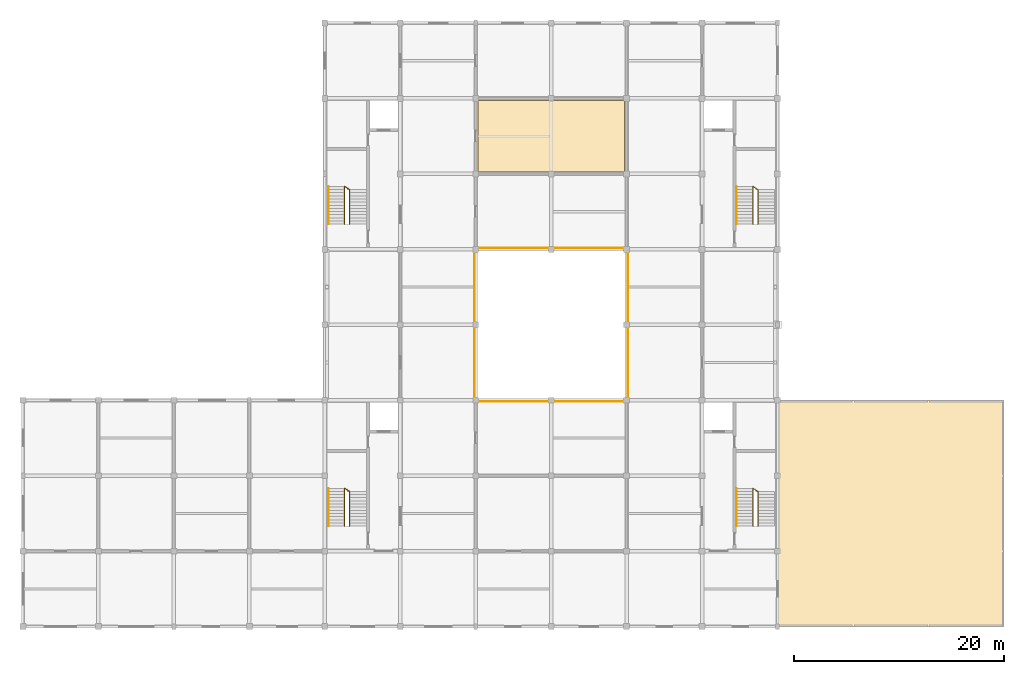
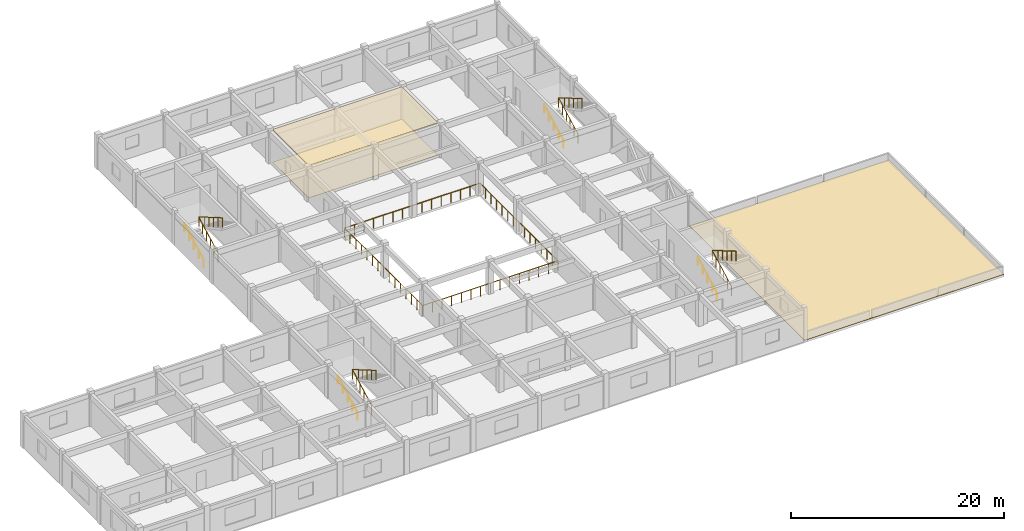
# One storey, part 8 of 8: 12 railings, 3 coverings.
"""IFC4 building model written with IfcOpenShell, lengths in metres."""

from ifc_helpers import new_model, si_unit, direction, frame, origin, origin_2d, place, context, subcontext, project, spatial, polyline, circle, outline, extrude, material, layer, layer_set, type_object, element, save


model = new_model("IFC4")

# Units and contexts
model_context = context("Model", 3, precision=1e-05, world=origin(), true_north=direction((0.0, 1.0)))
body_context = subcontext(model_context, "Body", "Model", "MODEL_VIEW")
ifc_project = project(units=[si_unit("LENGTHUNIT", "METRE"), si_unit("AREAUNIT", "SQUARE_METRE"), si_unit("VOLUMEUNIT", "CUBIC_METRE"), si_unit("PLANEANGLEUNIT", "RADIAN"), si_unit("MASSUNIT", "GRAM", prefix="KILO")], contexts=[model_context])

# Site, building, storey
site_placement = place(None, origin())
site = spatial("IfcSite", under=ifc_project, at=site_placement, CompositionType="ELEMENT")
building_placement = place(site_placement, origin())
building = spatial("IfcBuilding", under=site, at=building_placement, Name="Cendaluz Park School", CompositionType="ELEMENT")
storey_placement = place(building_placement, frame((0.0, 0.0, 42.800048828125)))
storey = spatial("IfcBuildingStorey", under=building, at=storey_placement, Name="L10", CompositionType="ELEMENT", Elevation=42.800048828125)

# Coverings
ifc_material_1 = material(Name="Mineral Fibre Acoustic Tile")
ifc_layer_1 = layer(ifc_material_1, 0.030029296875)
ifc_layer_set_1 = layer_set([ifc_layer_1], Name="Mineral Fibre Acoustic Tile")
covering_type_1 = type_object("IfcCoveringType", Name="CV-CLG01", PredefinedType="CEILING", material=ifc_layer_set_1)
covering_1_placement = place(storey_placement, frame((0.0, 0.0, 3.719970703125)))
element("IfcCovering", 1, at=covering_1_placement, inside=storey, type_object=covering_type_1, Name="CV-CLG-L10-01", PredefinedType="CEILING", context=body_context, shape_type="SweptSolid", body=[
    extrude(outline(polyline([(79.39990234375, 50.60009765625), (93.39990234375, 50.60009765625), (93.39990234375, 57.39990234375), (79.39990234375, 57.39990234375), (79.39990234375, 50.60009765625)])), origin(), (0.0, 0.0, 1.0), 0.030029296875),
])
ifc_material_2 = material(Name="Polished Terrazzo Tile")
ifc_layer_2 = layer(ifc_material_2, 0.02001953125)
ifc_layer_set_2 = layer_set([ifc_layer_2], Name="Polished Terrazzo Tile")
covering_type_2 = type_object("IfcCoveringType", Name="CV-FLR01", PredefinedType="FLOORING", material=ifc_layer_set_2)
covering_2_placement = place(storey_placement, origin())
element("IfcCovering", 2, at=covering_2_placement, inside=storey, type_object=covering_type_2, Name="CV-FLR-L10-01", PredefinedType="FLOORING", context=body_context, shape_type="SweptSolid", body=[
    extrude(outline(polyline([(79.39990234375, 50.60009765625), (93.39990234375, 50.60009765625), (93.39990234375, 57.39990234375), (79.39990234375, 57.39990234375), (79.39990234375, 50.60009765625)])), origin(), (0.0, 0.0, 1.0), 0.02001953125),
])
ifc_material_3 = material(Name="EPDM Roofing Membrane")
ifc_layer_3 = layer(ifc_material_3, 0.06005859375)
ifc_layer_set_3 = layer_set([ifc_layer_3], Name="EPDM Roofing Membrane")
covering_type_3 = type_object("IfcCoveringType", Name="CV-RF01", PredefinedType="ROOFING", material=ifc_layer_set_3)
covering_3_placement = place(storey_placement, origin())
element("IfcCovering", 3, at=covering_3_placement, inside=storey, type_object=covering_type_3, Name="CV-RF-L09-02", PredefinedType="ROOFING", context=body_context, shape_type="SweptSolid", body=[
    extrude(outline(polyline([(108.0, 28.800048828125), (129.60009765625, 28.800048828125), (129.60009765625, 7.199951171875), (108.0, 7.199951171875), (108.0, 28.800048828125)])), origin(), (0.0, 0.0, 1.0), 0.06005859375),
])

# Railings
ifc_material_4 = material(Name="Wrought Iron")
railing_type_1 = type_object("IfcRailingType", Name="GR-ST01", PredefinedType="BALUSTRADE", material=ifc_material_4)
railing_1_placement = place(storey_placement, frame((66.68994140625, 16.800048828125, 0.159912109375)))
element("IfcRailing", 4, at=railing_1_placement, inside=storey, type_object=railing_type_1, Name="GR-ST-023", PredefinedType="BALUSTRADE", context=body_context, shape_type="SweptSolid", body=[
    extrude(circle(Radius=0.02392578125, at=origin_2d()), frame((0.0, 0.0, 1.076171875), z_axis=(0.0, 0.882352941176, 0.470588235294), x_axis=(-1.0, 0.0, 0.0)), (0.0, 0.0, 1.0), 4.079833984375),
    extrude(circle(Radius=0.02392578125, at=origin_2d()), frame((0.0, 3.599853515625, 2.99609375), z_axis=(0.843065864119, -0.537810327864, 0.0), x_axis=(0.537810327864, 0.843065864119, 0.0)), (0.0, 0.0, 1.0), 0.557373046875),
    extrude(circle(Radius=0.02392578125, at=origin_2d()), frame((0.469970703125, 3.300048828125, 2.99609375), z_axis=(0.0, -0.86433267106, 0.502920504393), x_axis=(1.0, 0.0, 0.0)), (0.0, 0.0, 1.0), 3.818115234375),
    extrude(circle(Radius=0.02099609375, at=origin_2d()), origin(), (0.0, 0.0, 1.0), 1.052001953125),
    extrude(circle(Radius=0.02099609375, at=origin_2d()), frame((0.0, 0.719970703125, 0.384033203125)), (0.0, 0.0, 1.0), 1.052001953125),
    extrude(circle(Radius=0.02099609375, at=origin_2d()), frame((0.0, 1.43994140625, 0.76806640625)), (0.0, 0.0, 1.0), 1.052001953125),
    extrude(circle(Radius=0.02099609375, at=origin_2d()), frame((0.0, 2.159912109375, 1.15185546875)), (0.0, 0.0, 1.0), 1.052001953125),
    extrude(circle(Radius=0.02099609375, at=origin_2d()), frame((0.0, 2.8798828125, 1.535888671875)), (0.0, 0.0, 1.0), 1.052001953125),
    extrude(circle(Radius=0.02099609375, at=origin_2d()), frame((0.0, 3.599853515625, 1.919921875)), (0.0, 0.0, 1.0), 1.052001953125),
    extrude(circle(Radius=0.02099609375, at=origin_2d()), frame((0.469970703125, 3.300048828125, 1.919921875)), (0.0, 0.0, 1.0), 1.052001953125),
    extrude(circle(Radius=0.02099609375, at=origin_2d()), frame((0.469970703125, 2.47509765625, 2.39990234375)), (0.0, 0.0, 1.0), 1.052001953125),
    extrude(circle(Radius=0.02099609375, at=origin_2d()), frame((0.469970703125, 1.64990234375, 2.8798828125)), (0.0, 0.0, 1.0), 1.052001953125),
    extrude(circle(Radius=0.02099609375, at=origin_2d()), frame((0.469970703125, 0.824951171875, 3.360107421875)), (0.0, 0.0, 1.0), 1.052001953125),
    extrude(circle(Radius=0.02099609375, at=origin_2d()), frame((0.469970703125, 0.0, 3.840087890625)), (0.0, 0.0, 1.0), 1.052001953125),
])
railing_2_placement = place(storey_placement, frame((105.639892578125, 16.800048828125, 0.159912109375)))
element("IfcRailing", 5, at=railing_2_placement, inside=storey, type_object=railing_type_1, Name="GR-ST-058", PredefinedType="BALUSTRADE", context=body_context, shape_type="SweptSolid", body=[
    extrude(circle(Radius=0.02392578125, at=origin_2d()), frame((0.0, 0.0, 1.076171875), z_axis=(0.0, 0.882352941176, 0.470588235294), x_axis=(-1.0, 0.0, 0.0)), (0.0, 0.0, 1.0), 4.079833984375),
    extrude(circle(Radius=0.02392578125, at=origin_2d()), frame((0.0, 3.599853515625, 2.99609375), z_axis=(0.843192468449, -0.537611812697, 0.0), x_axis=(0.537611812697, 0.843192468449, 0.0)), (0.0, 0.0, 1.0), 0.5576171875),
    extrude(circle(Radius=0.02392578125, at=origin_2d()), frame((0.47021484375, 3.300048828125, 2.99609375), z_axis=(0.0, -0.86433267106, 0.502920504393), x_axis=(1.0, 0.0, 0.0)), (0.0, 0.0, 1.0), 3.818115234375),
    extrude(circle(Radius=0.02099609375, at=origin_2d()), origin(), (0.0, 0.0, 1.0), 1.052001953125),
    extrude(circle(Radius=0.02099609375, at=origin_2d()), frame((0.0, 0.719970703125, 0.384033203125)), (0.0, 0.0, 1.0), 1.052001953125),
    extrude(circle(Radius=0.02099609375, at=origin_2d()), frame((0.0, 1.43994140625, 0.76806640625)), (0.0, 0.0, 1.0), 1.052001953125),
    extrude(circle(Radius=0.02099609375, at=origin_2d()), frame((0.0, 2.159912109375, 1.15185546875)), (0.0, 0.0, 1.0), 1.052001953125),
    extrude(circle(Radius=0.02099609375, at=origin_2d()), frame((0.0, 2.8798828125, 1.535888671875)), (0.0, 0.0, 1.0), 1.052001953125),
    extrude(circle(Radius=0.02099609375, at=origin_2d()), frame((0.0, 3.599853515625, 1.919921875)), (0.0, 0.0, 1.0), 1.052001953125),
    extrude(circle(Radius=0.02099609375, at=origin_2d()), frame((0.47021484375, 3.300048828125, 1.919921875)), (0.0, 0.0, 1.0), 1.052001953125),
    extrude(circle(Radius=0.02099609375, at=origin_2d()), frame((0.47021484375, 2.47509765625, 2.39990234375)), (0.0, 0.0, 1.0), 1.052001953125),
    extrude(circle(Radius=0.02099609375, at=origin_2d()), frame((0.47021484375, 1.64990234375, 2.8798828125)), (0.0, 0.0, 1.0), 1.052001953125),
    extrude(circle(Radius=0.02099609375, at=origin_2d()), frame((0.47021484375, 0.824951171875, 3.360107421875)), (0.0, 0.0, 1.0), 1.052001953125),
    extrude(circle(Radius=0.02099609375, at=origin_2d()), frame((0.47021484375, 0.0, 3.840087890625)), (0.0, 0.0, 1.0), 1.052001953125),
])
railing_3_placement = place(storey_placement, frame((66.68994140625, 45.60009765625, 0.159912109375)))
element("IfcRailing", 6, at=railing_3_placement, inside=storey, type_object=railing_type_1, Name="GR-ST-093", PredefinedType="BALUSTRADE", context=body_context, shape_type="SweptSolid", body=[
    extrude(circle(Radius=0.02392578125, at=origin_2d()), frame((0.0, 0.0, 1.076171875), z_axis=(0.0, 0.882352941176, 0.470588235294), x_axis=(-1.0, 0.0, 0.0)), (0.0, 0.0, 1.0), 4.079833984375),
    extrude(circle(Radius=0.02392578125, at=origin_2d()), frame((0.0, 3.599853515625, 2.99609375), z_axis=(0.842867279897, -0.538121499737, 0.0), x_axis=(0.538121499737, 0.842867279897, 0.0)), (0.0, 0.0, 1.0), 0.5576171875),
    extrude(circle(Radius=0.02392578125, at=origin_2d()), frame((0.469970703125, 3.2998046875, 2.99609375), z_axis=(0.0, -0.864316496394, 0.502948301579), x_axis=(1.0, 0.0, 0.0)), (0.0, 0.0, 1.0), 3.81787109375),
    extrude(circle(Radius=0.02099609375, at=origin_2d()), origin(), (0.0, 0.0, 1.0), 1.052001953125),
    extrude(circle(Radius=0.02099609375, at=origin_2d()), frame((0.0, 0.719970703125, 0.384033203125)), (0.0, 0.0, 1.0), 1.052001953125),
    extrude(circle(Radius=0.02099609375, at=origin_2d()), frame((0.0, 1.43994140625, 0.76806640625)), (0.0, 0.0, 1.0), 1.052001953125),
    extrude(circle(Radius=0.02099609375, at=origin_2d()), frame((0.0, 2.159912109375, 1.15185546875)), (0.0, 0.0, 1.0), 1.052001953125),
    extrude(circle(Radius=0.02099609375, at=origin_2d()), frame((0.0, 2.8798828125, 1.535888671875)), (0.0, 0.0, 1.0), 1.052001953125),
    extrude(circle(Radius=0.02099609375, at=origin_2d()), frame((0.0, 3.599853515625, 1.919921875)), (0.0, 0.0, 1.0), 1.052001953125),
    extrude(circle(Radius=0.02099609375, at=origin_2d()), frame((0.469970703125, 3.2998046875, 1.919921875)), (0.0, 0.0, 1.0), 1.052001953125),
    extrude(circle(Radius=0.02099609375, at=origin_2d()), frame((0.469970703125, 2.474853515625, 2.39990234375)), (0.0, 0.0, 1.0), 1.052001953125),
    extrude(circle(Radius=0.02099609375, at=origin_2d()), frame((0.469970703125, 1.64990234375, 2.8798828125)), (0.0, 0.0, 1.0), 1.052001953125),
    extrude(circle(Radius=0.02099609375, at=origin_2d()), frame((0.469970703125, 0.824951171875, 3.360107421875)), (0.0, 0.0, 1.0), 1.052001953125),
    extrude(circle(Radius=0.02099609375, at=origin_2d()), frame((0.469970703125, 0.0, 3.840087890625)), (0.0, 0.0, 1.0), 1.052001953125),
])
railing_4_placement = place(storey_placement, frame((105.639892578125, 45.60009765625, 0.159912109375)))
element("IfcRailing", 7, at=railing_4_placement, inside=storey, type_object=railing_type_1, Name="GR-ST-128", PredefinedType="BALUSTRADE", context=body_context, shape_type="SweptSolid", body=[
    extrude(circle(Radius=0.02392578125, at=origin_2d()), frame((0.0, 0.0, 1.076171875), z_axis=(0.0, 0.882352941176, 0.470588235294), x_axis=(-1.0, 0.0, 0.0)), (0.0, 0.0, 1.0), 4.079833984375),
    extrude(circle(Radius=0.02392578125, at=origin_2d()), frame((0.0, 3.599853515625, 2.99609375), z_axis=(0.84299400095, -0.537922963223, 0.0), x_axis=(0.537922963223, 0.84299400095, 0.0)), (0.0, 0.0, 1.0), 0.557861328125),
    extrude(circle(Radius=0.02392578125, at=origin_2d()), frame((0.47021484375, 3.2998046875, 2.99609375), z_axis=(0.0, -0.864316496394, 0.502948301579), x_axis=(1.0, 0.0, 0.0)), (0.0, 0.0, 1.0), 3.81787109375),
    extrude(circle(Radius=0.02099609375, at=origin_2d()), origin(), (0.0, 0.0, 1.0), 1.052001953125),
    extrude(circle(Radius=0.02099609375, at=origin_2d()), frame((0.0, 0.719970703125, 0.384033203125)), (0.0, 0.0, 1.0), 1.052001953125),
    extrude(circle(Radius=0.02099609375, at=origin_2d()), frame((0.0, 1.43994140625, 0.76806640625)), (0.0, 0.0, 1.0), 1.052001953125),
    extrude(circle(Radius=0.02099609375, at=origin_2d()), frame((0.0, 2.159912109375, 1.15185546875)), (0.0, 0.0, 1.0), 1.052001953125),
    extrude(circle(Radius=0.02099609375, at=origin_2d()), frame((0.0, 2.8798828125, 1.535888671875)), (0.0, 0.0, 1.0), 1.052001953125),
    extrude(circle(Radius=0.02099609375, at=origin_2d()), frame((0.0, 3.599853515625, 1.919921875)), (0.0, 0.0, 1.0), 1.052001953125),
    extrude(circle(Radius=0.02099609375, at=origin_2d()), frame((0.47021484375, 3.2998046875, 1.919921875)), (0.0, 0.0, 1.0), 1.052001953125),
    extrude(circle(Radius=0.02099609375, at=origin_2d()), frame((0.47021484375, 2.474853515625, 2.39990234375)), (0.0, 0.0, 1.0), 1.052001953125),
    extrude(circle(Radius=0.02099609375, at=origin_2d()), frame((0.47021484375, 1.64990234375, 2.8798828125)), (0.0, 0.0, 1.0), 1.052001953125),
    extrude(circle(Radius=0.02099609375, at=origin_2d()), frame((0.47021484375, 0.824951171875, 3.360107421875)), (0.0, 0.0, 1.0), 1.052001953125),
    extrude(circle(Radius=0.02099609375, at=origin_2d()), frame((0.47021484375, 0.0, 3.840087890625)), (0.0, 0.0, 1.0), 1.052001953125),
])
ifc_material_5 = material(Name="Tempered Low-E Double Glazing", Category="glass")
railing_type_2 = type_object("IfcRailingType", Name="GR-VD01", PredefinedType="GUARDRAIL", material=ifc_material_5)
railing_5_placement = place(storey_placement, frame((79.080078125, 28.679931640625, 0.0)))
element("IfcRailing", 8, at=railing_5_placement, inside=storey, type_object=railing_type_2, Name="GR-LIB-VOID-L10-1", PredefinedType="GUARDRAIL", context=body_context, shape_type="SweptSolid", body=[
    extrude(circle(Radius=0.02392578125, at=origin_2d()), frame((0.0, 0.0, 1.1259765625), z_axis=(1.0, 0.0, 0.0), x_axis=(0.0, 1.0, 0.0)), (0.0, 0.0, 1.0), 14.639892578125),
    extrude(circle(Radius=0.02099609375, at=origin_2d()), origin(), (0.0, 0.0, 1.0), 1.101806640625),
    extrude(circle(Radius=0.02099609375, at=origin_2d()), frame((1.045654296875, 0.0, 0.0)), (0.0, 0.0, 1.0), 1.101806640625),
    extrude(circle(Radius=0.02099609375, at=origin_2d()), frame((2.09130859375, 0.0, 0.0)), (0.0, 0.0, 1.0), 1.101806640625),
    extrude(circle(Radius=0.02099609375, at=origin_2d()), frame((3.13720703125, 0.0, 0.0)), (0.0, 0.0, 1.0), 1.101806640625),
    extrude(circle(Radius=0.02099609375, at=origin_2d()), frame((4.182861328125, 0.0, 0.0)), (0.0, 0.0, 1.0), 1.101806640625),
    extrude(circle(Radius=0.02099609375, at=origin_2d()), frame((5.228515625, 0.0, 0.0)), (0.0, 0.0, 1.0), 1.101806640625),
    extrude(circle(Radius=0.02099609375, at=origin_2d()), frame((6.274169921875, 0.0, 0.0)), (0.0, 0.0, 1.0), 1.101806640625),
    extrude(circle(Radius=0.02099609375, at=origin_2d()), frame((7.31982421875, 0.0, 0.0)), (0.0, 0.0, 1.0), 1.101806640625),
    extrude(circle(Radius=0.02099609375, at=origin_2d()), frame((8.36572265625, 0.0, 0.0)), (0.0, 0.0, 1.0), 1.101806640625),
    extrude(circle(Radius=0.02099609375, at=origin_2d()), frame((9.411376953125, 0.0, 0.0)), (0.0, 0.0, 1.0), 1.101806640625),
    extrude(circle(Radius=0.02099609375, at=origin_2d()), frame((10.45703125, 0.0, 0.0)), (0.0, 0.0, 1.0), 1.101806640625),
    extrude(circle(Radius=0.02099609375, at=origin_2d()), frame((11.502685546875, 0.0, 0.0)), (0.0, 0.0, 1.0), 1.101806640625),
    extrude(circle(Radius=0.02099609375, at=origin_2d()), frame((12.548583984375, 0.0, 0.0)), (0.0, 0.0, 1.0), 1.101806640625),
    extrude(circle(Radius=0.02099609375, at=origin_2d()), frame((13.59423828125, 0.0, 0.0)), (0.0, 0.0, 1.0), 1.101806640625),
    extrude(circle(Radius=0.02099609375, at=origin_2d()), frame((14.639892578125, 0.0, 0.0)), (0.0, 0.0, 1.0), 1.101806640625),
])
railing_6_placement = place(storey_placement, frame((93.719970703125, 28.679931640625, 0.0)))
element("IfcRailing", 9, at=railing_6_placement, inside=storey, type_object=railing_type_2, Name="GR-LIB-VOID-L10-2", PredefinedType="GUARDRAIL", context=body_context, shape_type="SweptSolid", body=[
    extrude(circle(Radius=0.02392578125, at=origin_2d()), frame((0.0, 0.0, 1.1259765625), z_axis=(0.0, 1.0, 0.0), x_axis=(-1.0, 0.0, 0.0)), (0.0, 0.0, 1.0), 14.64013671875),
    extrude(circle(Radius=0.02099609375, at=origin_2d()), origin(), (0.0, 0.0, 1.0), 1.101806640625),
    extrude(circle(Radius=0.02099609375, at=origin_2d()), frame((0.0, 1.045654296875, 0.0)), (0.0, 0.0, 1.0), 1.101806640625),
    extrude(circle(Radius=0.02099609375, at=origin_2d()), frame((0.0, 2.091552734375, 0.0)), (0.0, 0.0, 1.0), 1.101806640625),
    extrude(circle(Radius=0.02099609375, at=origin_2d()), frame((0.0, 3.13720703125, 0.0)), (0.0, 0.0, 1.0), 1.101806640625),
    extrude(circle(Radius=0.02099609375, at=origin_2d()), frame((0.0, 4.182861328125, 0.0)), (0.0, 0.0, 1.0), 1.101806640625),
    extrude(circle(Radius=0.02099609375, at=origin_2d()), frame((0.0, 5.228515625, 0.0)), (0.0, 0.0, 1.0), 1.101806640625),
    extrude(circle(Radius=0.02099609375, at=origin_2d()), frame((0.0, 6.2744140625, 0.0)), (0.0, 0.0, 1.0), 1.101806640625),
    extrude(circle(Radius=0.02099609375, at=origin_2d()), frame((0.0, 7.320068359375, 0.0)), (0.0, 0.0, 1.0), 1.101806640625),
    extrude(circle(Radius=0.02099609375, at=origin_2d()), frame((0.0, 8.36572265625, 0.0)), (0.0, 0.0, 1.0), 1.101806640625),
    extrude(circle(Radius=0.02099609375, at=origin_2d()), frame((0.0, 9.41162109375, 0.0)), (0.0, 0.0, 1.0), 1.101806640625),
    extrude(circle(Radius=0.02099609375, at=origin_2d()), frame((0.0, 10.457275390625, 0.0)), (0.0, 0.0, 1.0), 1.101806640625),
    extrude(circle(Radius=0.02099609375, at=origin_2d()), frame((0.0, 11.5029296875, 0.0)), (0.0, 0.0, 1.0), 1.101806640625),
    extrude(circle(Radius=0.02099609375, at=origin_2d()), frame((0.0, 12.548583984375, 0.0)), (0.0, 0.0, 1.0), 1.101806640625),
    extrude(circle(Radius=0.02099609375, at=origin_2d()), frame((0.0, 13.594482421875, 0.0)), (0.0, 0.0, 1.0), 1.101806640625),
    extrude(circle(Radius=0.02099609375, at=origin_2d()), frame((0.0, 14.64013671875, 0.0)), (0.0, 0.0, 1.0), 1.101806640625),
])
railing_7_placement = place(storey_placement, frame((93.719970703125, 43.320068359375, 0.0)))
element("IfcRailing", 10, at=railing_7_placement, inside=storey, type_object=railing_type_2, Name="GR-LIB-VOID-L10-3", PredefinedType="GUARDRAIL", context=body_context, shape_type="SweptSolid", body=[
    extrude(circle(Radius=0.02392578125, at=origin_2d()), frame((0.0, 0.0, 1.1259765625), z_axis=(-1.0, 0.0, 0.0), x_axis=(0.0, -1.0, 0.0)), (0.0, 0.0, 1.0), 14.639892578125),
    extrude(circle(Radius=0.02099609375, at=origin_2d()), origin(), (0.0, 0.0, 1.0), 1.101806640625),
    extrude(circle(Radius=0.02099609375, at=origin_2d()), frame((-1.045654296875, 0.0, 0.0)), (0.0, 0.0, 1.0), 1.101806640625),
    extrude(circle(Radius=0.02099609375, at=origin_2d()), frame((-2.09130859375, 0.0, 0.0)), (0.0, 0.0, 1.0), 1.101806640625),
    extrude(circle(Radius=0.02099609375, at=origin_2d()), frame((-3.13720703125, 0.0, 0.0)), (0.0, 0.0, 1.0), 1.101806640625),
    extrude(circle(Radius=0.02099609375, at=origin_2d()), frame((-4.182861328125, 0.0, 0.0)), (0.0, 0.0, 1.0), 1.101806640625),
    extrude(circle(Radius=0.02099609375, at=origin_2d()), frame((-5.228515625, 0.0, 0.0)), (0.0, 0.0, 1.0), 1.101806640625),
    extrude(circle(Radius=0.02099609375, at=origin_2d()), frame((-6.274169921875, 0.0, 0.0)), (0.0, 0.0, 1.0), 1.101806640625),
    extrude(circle(Radius=0.02099609375, at=origin_2d()), frame((-7.31982421875, 0.0, 0.0)), (0.0, 0.0, 1.0), 1.101806640625),
    extrude(circle(Radius=0.02099609375, at=origin_2d()), frame((-8.36572265625, 0.0, 0.0)), (0.0, 0.0, 1.0), 1.101806640625),
    extrude(circle(Radius=0.02099609375, at=origin_2d()), frame((-9.411376953125, 0.0, 0.0)), (0.0, 0.0, 1.0), 1.101806640625),
    extrude(circle(Radius=0.02099609375, at=origin_2d()), frame((-10.45703125, 0.0, 0.0)), (0.0, 0.0, 1.0), 1.101806640625),
    extrude(circle(Radius=0.02099609375, at=origin_2d()), frame((-11.502685546875, 0.0, 0.0)), (0.0, 0.0, 1.0), 1.101806640625),
    extrude(circle(Radius=0.02099609375, at=origin_2d()), frame((-12.548583984375, 0.0, 0.0)), (0.0, 0.0, 1.0), 1.101806640625),
    extrude(circle(Radius=0.02099609375, at=origin_2d()), frame((-13.59423828125, 0.0, 0.0)), (0.0, 0.0, 1.0), 1.101806640625),
    extrude(circle(Radius=0.02099609375, at=origin_2d()), frame((-14.639892578125, 0.0, 0.0)), (0.0, 0.0, 1.0), 1.101806640625),
])
railing_8_placement = place(storey_placement, frame((79.080078125, 43.320068359375, 0.0)))
element("IfcRailing", 11, at=railing_8_placement, inside=storey, type_object=railing_type_2, Name="GR-LIB-VOID-L10-4", PredefinedType="GUARDRAIL", context=body_context, shape_type="SweptSolid", body=[
    extrude(circle(Radius=0.02392578125, at=origin_2d()), frame((0.0, 0.0, 1.1259765625), z_axis=(0.0, -1.0, 0.0), x_axis=(1.0, 0.0, 0.0)), (0.0, 0.0, 1.0), 14.64013671875),
    extrude(circle(Radius=0.02099609375, at=origin_2d()), origin(), (0.0, 0.0, 1.0), 1.101806640625),
    extrude(circle(Radius=0.02099609375, at=origin_2d()), frame((0.0, -1.045654296875, 0.0)), (0.0, 0.0, 1.0), 1.101806640625),
    extrude(circle(Radius=0.02099609375, at=origin_2d()), frame((0.0, -2.091552734375, 0.0)), (0.0, 0.0, 1.0), 1.101806640625),
    extrude(circle(Radius=0.02099609375, at=origin_2d()), frame((0.0, -3.13720703125, 0.0)), (0.0, 0.0, 1.0), 1.101806640625),
    extrude(circle(Radius=0.02099609375, at=origin_2d()), frame((0.0, -4.182861328125, 0.0)), (0.0, 0.0, 1.0), 1.101806640625),
    extrude(circle(Radius=0.02099609375, at=origin_2d()), frame((0.0, -5.228515625, 0.0)), (0.0, 0.0, 1.0), 1.101806640625),
    extrude(circle(Radius=0.02099609375, at=origin_2d()), frame((0.0, -6.2744140625, 0.0)), (0.0, 0.0, 1.0), 1.101806640625),
    extrude(circle(Radius=0.02099609375, at=origin_2d()), frame((0.0, -7.320068359375, 0.0)), (0.0, 0.0, 1.0), 1.101806640625),
    extrude(circle(Radius=0.02099609375, at=origin_2d()), frame((0.0, -8.36572265625, 0.0)), (0.0, 0.0, 1.0), 1.101806640625),
    extrude(circle(Radius=0.02099609375, at=origin_2d()), frame((0.0, -9.41162109375, 0.0)), (0.0, 0.0, 1.0), 1.101806640625),
    extrude(circle(Radius=0.02099609375, at=origin_2d()), frame((0.0, -10.457275390625, 0.0)), (0.0, 0.0, 1.0), 1.101806640625),
    extrude(circle(Radius=0.02099609375, at=origin_2d()), frame((0.0, -11.5029296875, 0.0)), (0.0, 0.0, 1.0), 1.101806640625),
    extrude(circle(Radius=0.02099609375, at=origin_2d()), frame((0.0, -12.548583984375, 0.0)), (0.0, 0.0, 1.0), 1.101806640625),
    extrude(circle(Radius=0.02099609375, at=origin_2d()), frame((0.0, -13.594482421875, 0.0)), (0.0, 0.0, 1.0), 1.101806640625),
    extrude(circle(Radius=0.02099609375, at=origin_2d()), frame((0.0, -14.64013671875, 0.0)), (0.0, 0.0, 1.0), 1.101806640625),
])
ifc_material_6 = material(Name="Architectural Bronze")
railing_type_3 = type_object("IfcRailingType", Name="HR-ST01", PredefinedType="HANDRAIL", material=ifc_material_6)
for number, where, name in (
    (12, (65.14990234375, 16.800048828125, 0.159912109375), "HR-ST-024"),
    (13, (104.10009765625, 16.800048828125, 0.159912109375), "HR-ST-059"),
    (14, (65.14990234375, 45.60009765625, 0.159912109375), "HR-ST-094"),
    (15, (104.10009765625, 45.60009765625, 0.159912109375), "HR-ST-129"),
):
    element("IfcRailing", number, at=place(storey_placement, frame(where)), inside=storey, type_object=railing_type_3, Name=name, PredefinedType="HANDRAIL", context=body_context, shape_type="SweptSolid", body=[
        extrude(circle(Radius=0.02392578125, at=origin_2d()), frame((0.0, 0.0, 0.8759765625), z_axis=(0.0, 0.882352941176, 0.470588235294), x_axis=(-1.0, 0.0, 0.0)), (0.0, 0.0, 1.0), 4.079833984375),
        extrude(circle(Radius=0.02099609375, at=origin_2d()), origin(), (0.0, 0.0, 1.0), 0.851806640625),
        extrude(circle(Radius=0.02099609375, at=origin_2d()), frame((0.0, 0.89990234375, 0.47998046875)), (0.0, 0.0, 1.0), 0.851806640625),
        extrude(circle(Radius=0.02099609375, at=origin_2d()), frame((0.0, 1.7998046875, 0.9599609375)), (0.0, 0.0, 1.0), 0.851806640625),
        extrude(circle(Radius=0.02099609375, at=origin_2d()), frame((0.0, 2.699951171875, 1.43994140625)), (0.0, 0.0, 1.0), 0.851806640625),
        extrude(circle(Radius=0.02099609375, at=origin_2d()), frame((0.0, 3.599853515625, 1.919921875)), (0.0, 0.0, 1.0), 0.851806640625),
    ])

save(model, "model.ifc")
